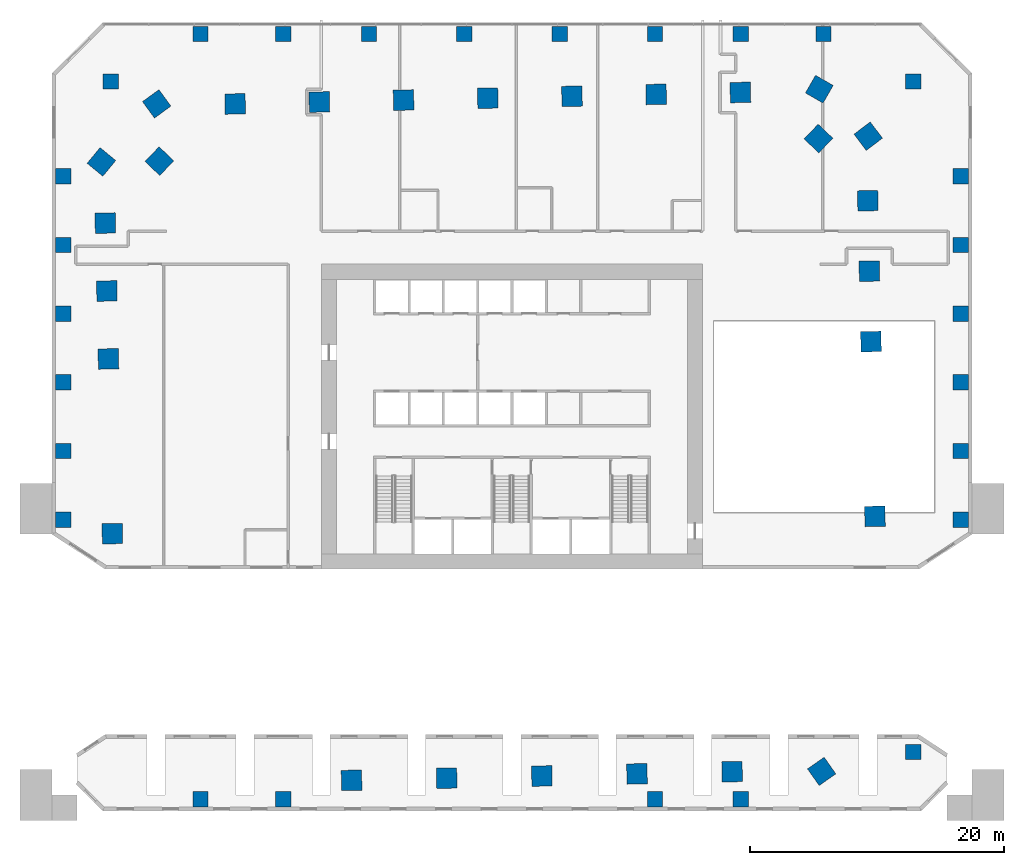
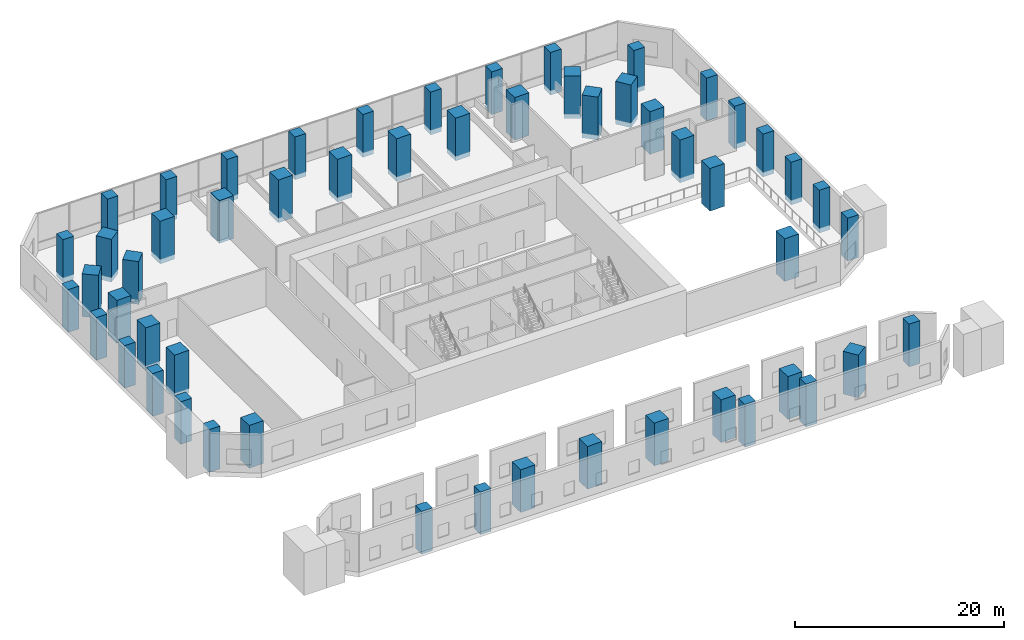
# One storey, part 1 of 11: 54 columns.
"""IFC4 building model written with IfcOpenShell, lengths in metres."""

from ifc_helpers import new_model, si_unit, direction, frame, origin, origin_2d, place, context, subcontext, project, spatial, rectangle, extrude, material, material_profile, profile_set, type_object, element, save


model = new_model("IFC4")

# Units and contexts
model_context = context("Model", 3, precision=1e-05, world=origin(), true_north=direction((0.0, 1.0)))
body_context = subcontext(model_context, "Body", "Model", "MODEL_VIEW")
ifc_project = project(units=[si_unit("LENGTHUNIT", "METRE"), si_unit("AREAUNIT", "SQUARE_METRE"), si_unit("VOLUMEUNIT", "CUBIC_METRE"), si_unit("PLANEANGLEUNIT", "RADIAN"), si_unit("MASSUNIT", "GRAM", prefix="KILO")], contexts=[model_context])

# Site, building, storey
site_placement = place(None, origin())
site = spatial("IfcSite", under=ifc_project, at=site_placement, CompositionType="ELEMENT")
building_placement = place(site_placement, origin())
building = spatial("IfcBuilding", under=site, at=building_placement, Name="Mangrove Gate Tower", CompositionType="ELEMENT")
storey_placement = place(building_placement, frame((0.0, 0.0, 6.0)))
storey = spatial("IfcBuildingStorey", under=building, at=storey_placement, Name="L01", CompositionType="ELEMENT", Elevation=6.0)

# Columns
ifc_material_1 = material(Name="Concrete C50/60", Category="concrete")
ifc_material_profile_1 = material_profile(ifc_material_1, rectangle(XDim=1.199951171875, YDim=1.199951171875, at=origin_2d()))
ifc_profile_set_1 = profile_set([ifc_material_profile_1], Name="Concrete C50/60")
column_type_1 = type_object("IfcColumnType", Name="Column RC 1200x1200 C50/60", PredefinedType="COLUMN", material=ifc_profile_set_1)
for number, where, z_axis, x_axis, name in (
    (1, (-24.5, -30.10009765625, -0.550048828125), (0.0, 0.0, 1.0), (1.0, 0.0, 0.0), "Column L01 PS00"),
    (2, (-24.5, 30.10009765625, -0.550048828125), (0.0, 0.0, 1.0), (1.0, 0.0, 0.0), "Column L01 PN01"),
    (3, (-18.0, -30.10009765625, -0.550048828125), (0.0, 0.0, 1.0), (1.0, 0.0, 0.0), "Column L01 PS02"),
    (4, (-18.0, 30.10009765625, -0.550048828125), (0.0, 0.0, 1.0), (1.0, 0.0, 0.0), "Column L01 PN03"),
    (5, (-11.25, 30.10009765625, -0.550048828125), (0.0, 0.0, 1.0), (1.0, 0.0, 0.0), "Column L01 PN05"),
    (6, (-3.75, 30.10009765625, -0.550048828125), (0.0, 0.0, 1.0), (1.0, 0.0, 0.0), "Column L01 PN07"),
    (7, (3.75, 30.10009765625, -0.550048828125), (0.0, 0.0, 1.0), (1.0, 0.0, 0.0), "Column L01 PN09"),
    (8, (11.25, -30.10009765625, -0.550048828125), (0.0, 0.0, 1.0), (1.0, 0.0, 0.0), "Column L01 PS10"),
    (9, (11.25, 30.10009765625, -0.550048828125), (0.0, 0.0, 1.0), (1.0, 0.0, 0.0), "Column L01 PN11"),
    (10, (18.0, -30.10009765625, -0.550048828125), (0.0, 0.0, 1.0), (1.0, 0.0, 0.0), "Column L01 PS12"),
    (11, (18.0, 30.10009765625, -0.550048828125), (0.0, 0.0, 1.0), (1.0, 0.0, 0.0), "Column L01 PN13"),
    (12, (24.5, 30.10009765625, -0.550048828125), (0.0, 0.0, 1.0), (1.0, 0.0, 0.0), "Column L01 PN15"),
    (13, (35.300048828125, -8.10009765625, -0.550048828125), (0.0, 0.0, 1.0), (1.0, 0.0, 0.0), "Column L01 PE20"),
    (14, (-35.300048828125, -8.10009765625, -0.550048828125), (0.0, 0.0, 1.0), (1.0, 0.0, 0.0), "Column L01 PW21"),
    (15, (35.300048828125, -2.699951171875, -0.550048828125), (0.0, 0.0, 1.0), (1.0, 0.0, 0.0), "Column L01 PE22"),
    (16, (-35.300048828125, -2.699951171875, -0.550048828125), (0.0, 0.0, 1.0), (1.0, 0.0, 0.0), "Column L01 PW23"),
    (17, (35.300048828125, 2.699951171875, -0.550048828125), (0.0, 0.0, 1.0), (1.0, 0.0, 0.0), "Column L01 PE24"),
    (18, (-35.300048828125, 2.699951171875, -0.550048828125), (0.0, 0.0, 1.0), (1.0, 0.0, 0.0), "Column L01 PW25"),
    (19, (35.300048828125, 8.10009765625, -0.550048828125), (0.0, 0.0, 1.0), (1.0, 0.0, 0.0), "Column L01 PE26"),
    (20, (-35.300048828125, 8.10009765625, -0.550048828125), (0.0, 0.0, 1.0), (1.0, 0.0, 0.0), "Column L01 PW27"),
    (21, (35.300048828125, 13.5, -0.550048828125), (0.0, 0.0, 1.0), (1.0, 0.0, 0.0), "Column L01 PE28"),
    (22, (-35.300048828125, 13.5, -0.550048828125), (0.0, 0.0, 1.0), (1.0, 0.0, 0.0), "Column L01 PW29"),
    (23, (35.300048828125, 18.89990234375, -0.550048828125), (0.0, 0.0, 1.0), (1.0, 0.0, 0.0), "Column L01 PE30"),
    (24, (-35.300048828125, 18.89990234375, -0.550048828125), (0.0, 0.0, 1.0), (1.0, 0.0, 0.0), "Column L01 PW31"),
    (25, (31.570068359375, 26.3701171875, -0.550048828125), (0.0, 0.0, 1.0), (1.0, 0.0, 0.0), "Column L01 PD32"),
    (26, (31.570068359375, -26.3701171875, -0.550048828125), (0.0, 0.0, 1.0), (1.0, 0.0, 0.0), "Column L01 PD33"),
    (27, (-31.570068359375, 26.3701171875, -0.550048828125), (0.0, 0.0, 1.0), (1.0, 0.0, 0.0), "Column L01 PD34"),
):
    element("IfcColumn", number, at=place(storey_placement, frame(where, z_axis=z_axis, x_axis=x_axis)), inside=storey, type_object=column_type_1, Name=name, PredefinedType="COLUMN", context=body_context, shape_type="SweptSolid", body=[
        extrude(rectangle(XDim=1.199951171875, YDim=1.199951171875, at=origin_2d()), origin(), (0.0, 0.0, 1.0), 5.0),
    ])
ifc_material_2 = material(Name="Concrete C70/85", Category="concrete")
ifc_material_profile_2 = material_profile(ifc_material_2, rectangle(XDim=1.60009765625, YDim=1.60009765625, at=origin_2d()))
ifc_profile_set_2 = profile_set([ifc_material_profile_2], Name="Concrete C70/85")
column_type_2 = type_object("IfcColumnType", Name="Column RC 1600x1600 C70/85", PredefinedType="COLUMN", material=ifc_profile_set_2)
for number, where, z_axis, x_axis, name in (
    (28, (-31.436279296875, -9.203857421875, -0.550048828125), (0.0, 0.0, 1.0), (0.022677684385, -0.999742828247, 0.0), "Column L01 W06"),
    (29, (-12.6201171875, -28.607177734375, -0.550048828125), (0.0, 0.0, 1.0), (0.999742076866, 0.022710784754, 0.0), "Column L01 S03"),
    (30, (-5.13623046875, -28.437255859375, -0.550048828125), (0.0, 0.0, 1.0), (0.999742111349, 0.022709266709, 0.0), "Column L01 S04"),
    (31, (2.347900390625, -28.26708984375, -0.550048828125), (0.0, 0.0, 1.0), (0.999742111349, 0.022709266709, 0.0), "Column L01 S05"),
    (32, (9.831787109375, -28.09716796875, -0.550048828125), (0.0, 0.0, 1.0), (0.999742076866, 0.022710784754, 0.0), "Column L01 S06"),
    (33, (17.31494140625, -27.92724609375, -0.550048828125), (0.0, 0.0, 1.0), (0.999743591179, 0.022644025629, 0.0), "Column L01 S07"),
    (34, (24.357666015625, -27.903076171875, -0.550048828125), (0.0, 0.0, 1.0), (0.818798537757, 0.574080965166, 0.0), "Column L01 S08"),
    (35, (28.548095703125, -7.84326171875, -0.550048828125), (0.0, 0.0, 1.0), (-0.022680668131, 0.999742760561, 0.0), "Column L01 E05"),
    (36, (28.236083984375, 5.90380859375, -0.550048828125), (0.0, 0.0, 1.0), (-0.022703735442, 0.999742236978, 0.0), "Column L01 E06"),
    (37, (28.110107421875, 11.44384765625, -0.550048828125), (0.0, 0.0, 1.0), (-0.022645578574, 0.999743556004, 0.0), "Column L01 E07"),
    (38, (27.985107421875, 16.98486328125, -0.550048828125), (0.0, 0.0, 1.0), (-0.022645578574, 0.999743556004, 0.0), "Column L01 E08"),
    (39, (28.021240234375, 22.06005859375, -0.550048828125), (0.0, 0.0, 1.0), (-0.60357593887, 0.797305516109, 0.0), "Column L01 E09"),
    (40, (24.107421875, 21.87353515625, -0.550048828125), (0.0, 0.0, 1.0), (-0.723010312757, 0.690837236726, 0.0), "Column L01 E10"),
    (41, (24.171142578125, 25.757080078125, -0.550048828125), (0.0, 0.0, 1.0), (-0.867550504106, 0.497349095531, 0.0), "Column L01 N01"),
    (42, (17.964111328125, 25.501220703125, -0.550048828125), (0.0, 0.0, 1.0), (-0.999741913532, -0.022717973655, 0.0), "Column L01 N02"),
    (43, (11.341064453125, 25.35009765625, -0.550048828125), (0.0, 0.0, 1.0), (-0.999741952388, -0.022716263674, 0.0), "Column L01 N03"),
    (44, (4.717041015625, 25.2001953125, -0.550048828125), (0.0, 0.0, 1.0), (-0.999743663498, -0.022640832496, 0.0), "Column L01 N04"),
    (45, (-1.90576171875, 25.05029296875, -0.550048828125), (0.0, 0.0, 1.0), (-0.999741913532, -0.022717973655, 0.0), "Column L01 N05"),
    (46, (-8.52880859375, 24.899169921875, -0.550048828125), (0.0, 0.0, 1.0), (-0.999741952388, -0.022716263674, 0.0), "Column L01 N06"),
    (47, (-15.15283203125, 24.749267578125, -0.550048828125), (0.0, 0.0, 1.0), (-0.999743663498, -0.022640832496, 0.0), "Column L01 N07"),
    (48, (-21.77587890625, 24.59912109375, -0.550048828125), (0.0, 0.0, 1.0), (-0.999743624771, -0.02264254248, 0.0), "Column L01 N08"),
    (49, (-27.946044921875, 24.602294921875, -0.550048828125), (0.0, 0.0, 1.0), (-0.808269368168, -0.588812897686, 0.0), "Column L01 N09"),
    (50, (-27.734619140625, 20.097412109375, -0.550048828125), (0.0, 0.0, 1.0), (-0.690863130287, -0.722985570541, 0.0), "Column L01 W01"),
    (51, (-32.2939453125, 20.036865234375, -0.550048828125), (0.0, 0.0, 1.0), (-0.63510539695, -0.772425488164, 0.0), "Column L01 W02"),
    (52, (-31.990234375, 15.22314453125, -0.550048828125), (0.0, 0.0, 1.0), (0.022746921185, -0.999741255314, 0.0), "Column L01 W03"),
    (53, (-31.869140625, 9.883056640625, -0.550048828125), (0.0, 0.0, 1.0), (0.022653360746, -0.999743379696, 0.0), "Column L01 W04"),
    (54, (-31.748291015625, 4.543212890625, -0.550048828125), (0.0, 0.0, 1.0), (0.022679760793, -0.999742781144, 0.0), "Column L01 W05"),
):
    element("IfcColumn", number, at=place(storey_placement, frame(where, z_axis=z_axis, x_axis=x_axis)), inside=storey, type_object=column_type_2, Name=name, PredefinedType="COLUMN", context=body_context, shape_type="SweptSolid", body=[
        extrude(rectangle(XDim=1.60009765625, YDim=1.60009765625, at=origin_2d()), origin(), (0.0, 0.0, 1.0), 5.0),
    ])

save(model, "model.ifc")
